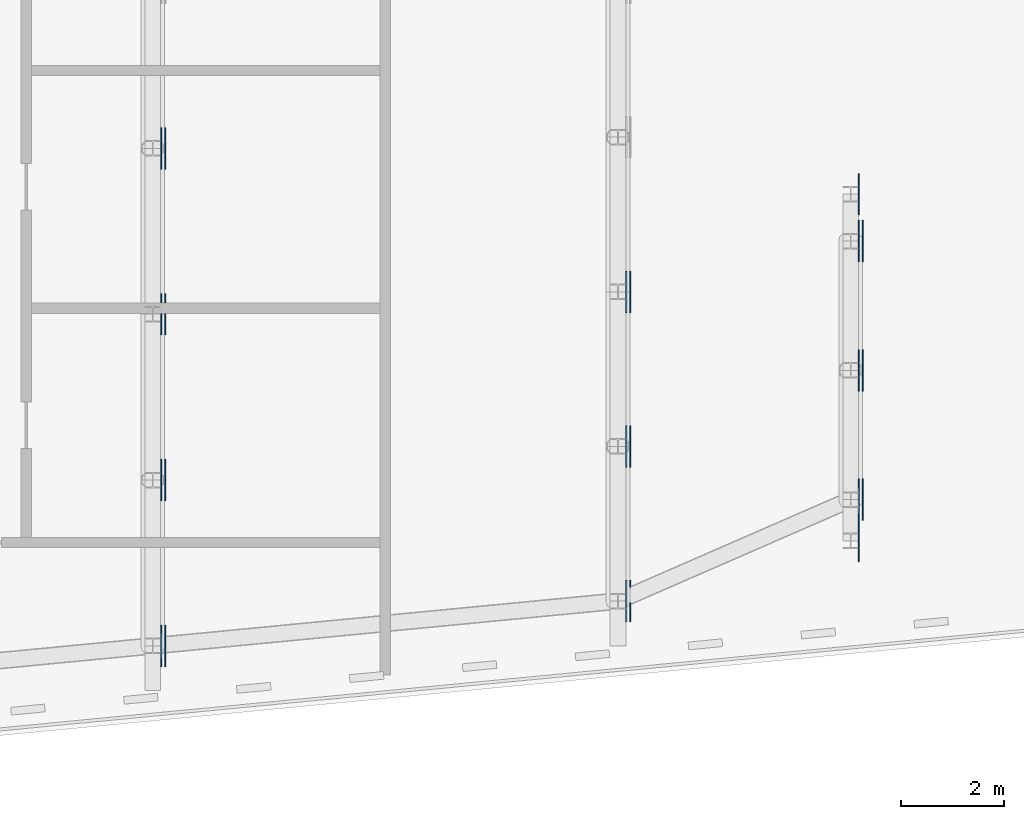
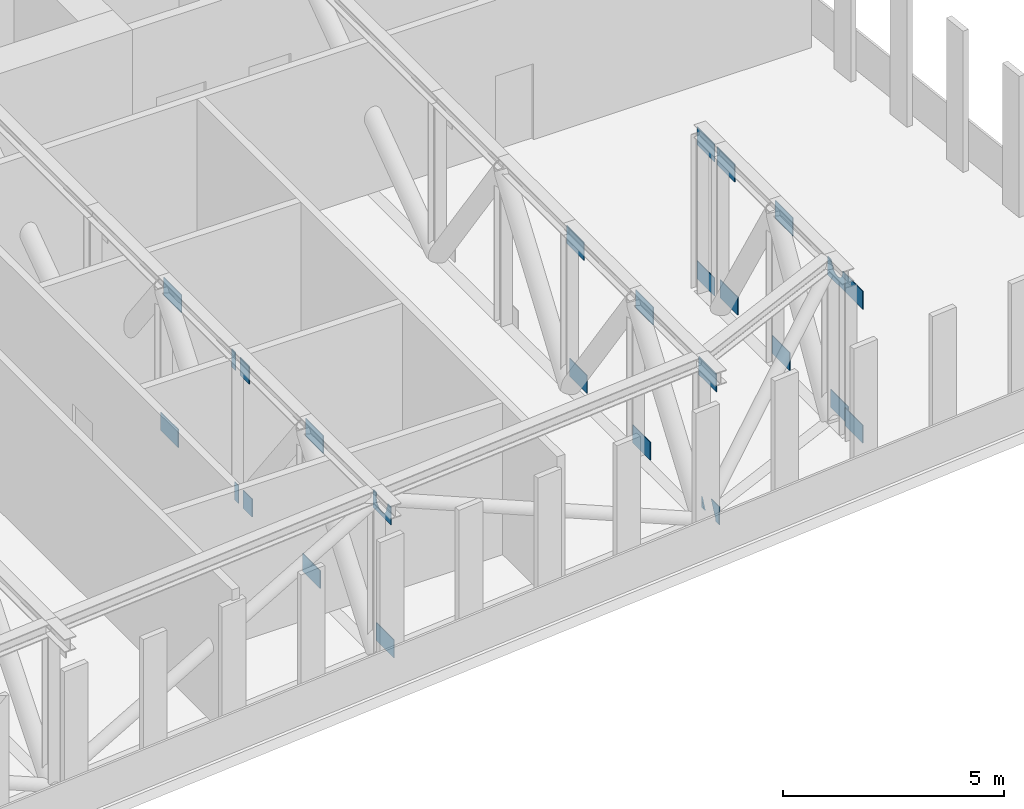
# One storey, part 15 of 22: 27 discrete accessories.
"""IFC4 building model written with IfcOpenShell, lengths in metres."""

from ifc_helpers import new_model, si_unit, direction, frame, origin, place, context, subcontext, project, spatial, polyline, outline, extrude, material, layer, layer_set, type_object, element, save


model = new_model("IFC4")

# Units and contexts
model_context = context("Model", 3, precision=1e-05, world=origin(), true_north=direction((0.0, 1.0)))
body_context = subcontext(model_context, "Body", "Model", "MODEL_VIEW")
ifc_project = project(units=[si_unit("LENGTHUNIT", "METRE"), si_unit("AREAUNIT", "SQUARE_METRE"), si_unit("VOLUMEUNIT", "CUBIC_METRE"), si_unit("PLANEANGLEUNIT", "RADIAN"), si_unit("MASSUNIT", "GRAM", prefix="KILO")], contexts=[model_context])

# Site, building, storey
site_placement = place(None, origin())
site = spatial("IfcSite", under=ifc_project, at=site_placement, CompositionType="ELEMENT")
building_placement = place(site_placement, origin())
building = spatial("IfcBuilding", under=site, at=building_placement, Name="Kajstack Hotel Tower", CompositionType="ELEMENT")
storey_placement = place(building_placement, frame((0.0, 0.0, 150.39990234375)))
storey = spatial("IfcBuildingStorey", under=building, at=storey_placement, Name="L35", CompositionType="ELEMENT", Elevation=150.39990234375)

# Discrete accessories
ifc_material = material(Name="Steel S355J2", Category="steel")
ifc_layer = layer(ifc_material, 0.02001953125)
ifc_layer_set = layer_set([ifc_layer], Name="GUSSET PLATE")
discrete_accessory_type = type_object("IfcDiscreteAccessoryType", Name="GUSSET PLATE", PredefinedType="BRACKET", material=ifc_layer_set)
discrete_accessory_1_placement = place(storey_placement, frame((27.228515625, -17.332763671875, 0.0), z_axis=(1.0, 0.0, 0.0), x_axis=(0.0, 1.0, 0.0)))
element("IfcDiscreteAccessory", 1, at=discrete_accessory_1_placement, inside=storey, type_object=discrete_accessory_type, Name="Gusset plate L35-425", PredefinedType="BRACKET", context=body_context, shape_type="SweptSolid", body=[
    extrude(outline(polyline([(-0.39990234375, 0.0), (0.39990234375, 0.0), (0.39990234375, 0.5), (-0.39990234375, 0.5), (-0.39990234375, 0.0)])), origin(), (0.0, 0.0, 1.0), 0.02001953125),
])
discrete_accessory_2_placement = place(storey_placement, frame((27.14990234375, -17.332763671875, 3.7001953125), z_axis=(1.0, 0.0, 0.0), x_axis=(0.0, 1.0, 0.0)))
element("IfcDiscreteAccessory", 2, at=discrete_accessory_2_placement, inside=storey, type_object=discrete_accessory_type, Name="Gusset plate L35-426", PredefinedType="BRACKET", context=body_context, shape_type="SweptSolid", body=[
    extrude(outline(polyline([(0.39990234375, 0.5), (0.252197265625, 0.5), (0.27392578125, 0.393310546875), (0.277587890625, 0.3701171875), (0.27880859375, 0.3466796875), (0.27783203125, 0.3232421875), (0.2744140625, 0.300048828125), (0.268798828125, 0.27734375), (0.260986328125, 0.255126953125), (0.251220703125, 0.23388671875), (0.2392578125, 0.213623046875), (0.225341796875, 0.19482421875), (0.209716796875, 0.17724609375), (0.1923828125, 0.161376953125), (0.173583984375, 0.1474609375), (0.153564453125, 0.13525390625), (0.13232421875, 0.125), (0.1103515625, 0.1171875), (0.087646484375, 0.111328125), (0.064453125, 0.107666015625), (0.041015625, 0.1064453125), (0.017578125, 0.107421875), (-0.005615234375, 0.11083984375), (-0.0283203125, 0.116455078125), (-0.050537109375, 0.1240234375), (-0.07177734375, 0.134033203125), (-0.092041015625, 0.14599609375), (-0.11083984375, 0.159912109375), (-0.12841796875, 0.175537109375), (-0.144287109375, 0.19287109375), (-0.158203125, 0.211669921875), (-0.17041015625, 0.231689453125), (-0.1806640625, 0.2529296875), (-0.188720703125, 0.27490234375), (-0.1943359375, 0.297607421875), (-0.2080078125, 0.364013671875), (-0.220458984375, 0.384765625), (-0.230224609375, 0.406005859375), (-0.238037109375, 0.427978515625), (-0.24365234375, 0.450927734375), (-0.2470703125, 0.47412109375), (-0.247802734375, 0.5), (-0.39990234375, 0.5), (-0.39990234375, 0.0), (0.39990234375, 0.0), (0.39990234375, 0.5)])), origin(), (0.0, 0.0, 1.0), 0.02001953125),
])
for number, where, z_axis, x_axis, name in (
    (3, (27.14990234375, -14.12451171875, 0.0), (1.0, 0.0, 0.0), (0.0, 1.0, 0.0), "Gusset plate L35-427"),
    (4, (27.228515625, -14.12451171875, 3.7001953125), (1.0, 0.0, 0.0), (0.0, 1.0, 0.0), "Gusset plate L35-428"),
):
    element("IfcDiscreteAccessory", number, at=place(storey_placement, frame(where, z_axis=z_axis, x_axis=x_axis)), inside=storey, type_object=discrete_accessory_type, Name=name, PredefinedType="BRACKET", context=body_context, shape_type="SweptSolid", body=[
        extrude(outline(polyline([(-0.39990234375, 0.0), (0.39990234375, 0.0), (0.39990234375, 0.5), (-0.39990234375, 0.5), (-0.39990234375, 0.0)])), origin(), (0.0, 0.0, 1.0), 0.02001953125),
    ])
discrete_accessory_3_placement = place(storey_placement, frame((27.228515625, -10.916259765625, 0.0), z_axis=(1.0, 0.0, 0.0), x_axis=(0.0, 1.0, 0.0)))
element("IfcDiscreteAccessory", 5, at=discrete_accessory_3_placement, inside=storey, type_object=discrete_accessory_type, Name="Gusset plate L35-429", PredefinedType="BRACKET", context=body_context, shape_type="SweptSolid", body=[
    extrude(outline(polyline([(0.39990234375, 0.5), (0.22119140625, 0.5), (0.22119140625, 0.0), (0.39990234375, 0.0), (0.39990234375, 0.5)])), origin(), (0.0, 0.0, 1.0), 0.02001953125),
])
discrete_accessory_4_placement = place(storey_placement, frame((27.228515625, -10.916259765625, 0.0), z_axis=(1.0, 0.0, 0.0), x_axis=(0.0, 1.0, 0.0)))
element("IfcDiscreteAccessory", 6, at=discrete_accessory_4_placement, inside=storey, type_object=discrete_accessory_type, Name="Gusset plate L35-430", PredefinedType="BRACKET", context=body_context, shape_type="SweptSolid", body=[
    extrude(outline(polyline([(-0.39990234375, 0.0), (0.01123046875, 0.0), (0.01123046875, 0.5), (-0.39990234375, 0.5), (-0.39990234375, 0.0)])), origin(), (0.0, 0.0, 1.0), 0.02001953125),
])
discrete_accessory_5_placement = place(storey_placement, frame((27.14990234375, -10.916259765625, 3.7001953125), z_axis=(1.0, 0.0, 0.0), x_axis=(0.0, 1.0, 0.0)))
element("IfcDiscreteAccessory", 7, at=discrete_accessory_5_placement, inside=storey, type_object=discrete_accessory_type, Name="Gusset plate L35-431", PredefinedType="BRACKET", context=body_context, shape_type="SweptSolid", body=[
    extrude(outline(polyline([(0.39990234375, 0.5), (0.22119140625, 0.5), (0.22119140625, 0.0), (0.39990234375, 0.0), (0.39990234375, 0.5)])), origin(), (0.0, 0.0, 1.0), 0.02001953125),
])
discrete_accessory_6_placement = place(storey_placement, frame((27.14990234375, -10.916259765625, 3.7001953125), z_axis=(1.0, 0.0, 0.0), x_axis=(0.0, 1.0, 0.0)))
element("IfcDiscreteAccessory", 8, at=discrete_accessory_6_placement, inside=storey, type_object=discrete_accessory_type, Name="Gusset plate L35-432", PredefinedType="BRACKET", context=body_context, shape_type="SweptSolid", body=[
    extrude(outline(polyline([(-0.39990234375, 0.0), (0.01123046875, 0.0), (0.01123046875, 0.5), (-0.39990234375, 0.5), (-0.39990234375, 0.0)])), origin(), (0.0, 0.0, 1.0), 0.02001953125),
])
for number, where, z_axis, x_axis, name in (
    (9, (27.14990234375, -7.708251953125, 0.0), (1.0, 0.0, 0.0), (0.0, 1.0, 0.0), "Gusset plate L35-433"),
    (10, (27.228515625, -7.708251953125, 3.7001953125), (1.0, 0.0, 0.0), (0.0, 1.0, 0.0), "Gusset plate L35-434"),
):
    element("IfcDiscreteAccessory", number, at=place(storey_placement, frame(where, z_axis=z_axis, x_axis=x_axis)), inside=storey, type_object=discrete_accessory_type, Name=name, PredefinedType="BRACKET", context=body_context, shape_type="SweptSolid", body=[
        extrude(outline(polyline([(-0.39990234375, 0.0), (0.39990234375, 0.0), (0.39990234375, 0.5), (-0.39990234375, 0.5), (-0.39990234375, 0.0)])), origin(), (0.0, 0.0, 1.0), 0.02001953125),
    ])
discrete_accessory_7_placement = place(storey_placement, frame((36.228515625, -16.466064453125, 0.0), z_axis=(1.0, 0.0, 0.0), x_axis=(0.0, 1.0, 0.0)))
element("IfcDiscreteAccessory", 11, at=discrete_accessory_7_placement, inside=storey, type_object=discrete_accessory_type, Name="Gusset plate L35-438", PredefinedType="BRACKET", context=body_context, shape_type="SweptSolid", body=[
    extrude(outline(polyline([(0.39990234375, 0.0), (0.39990234375, 0.294921875), (0.263427734375, 0.0), (0.39990234375, 0.0)])), origin(), (0.0, 0.0, 1.0), 0.02001953125),
])
discrete_accessory_8_placement = place(storey_placement, frame((36.228515625, -16.466064453125, 0.0), z_axis=(1.0, 0.0, 0.0), x_axis=(0.0, 1.0, 0.0)))
element("IfcDiscreteAccessory", 12, at=discrete_accessory_8_placement, inside=storey, type_object=discrete_accessory_type, Name="Gusset plate L35-439", PredefinedType="BRACKET", context=body_context, shape_type="SweptSolid", body=[
    extrude(outline(polyline([(-0.39990234375, 0.0), (-0.244873046875, 0.0), (-0.242919921875, 0.01953125), (-0.238525390625, 0.042724609375), (-0.23046875, 0.074951171875), (-0.22265625, 0.09716796875), (-0.212890625, 0.118408203125), (-0.196533203125, 0.144287109375), (-0.031982421875, 0.5), (-0.39990234375, 0.5), (-0.39990234375, 0.0)])), origin(), (0.0, 0.0, 1.0), 0.02001953125),
])
for number, where, z_axis, x_axis, name in (
    (13, (36.14990234375, -16.466064453125, 3.7001953125), (1.0, 0.0, 0.0), (0.0, 1.0, 0.0), "Gusset plate L35-440"),
    (14, (36.14990234375, -13.474609375, 0.0), (1.0, 0.0, 0.0), (0.0, 1.0, 0.0), "Gusset plate L35-441"),
    (15, (36.228515625, -13.474609375, 3.7001953125), (1.0, 0.0, 0.0), (0.0, 1.0, 0.0), "Gusset plate L35-442"),
    (16, (36.228515625, -10.483154296875, 0.0), (1.0, 0.0, 0.0), (0.0, 1.0, 0.0), "Gusset plate L35-443"),
    (17, (36.14990234375, -10.483154296875, 3.7001953125), (1.0, 0.0, 0.0), (0.0, 1.0, 0.0), "Gusset plate L35-444"),
    (18, (40.64990234375, -15.302490234375, 0.0), (1.0, 0.0, 0.0), (0.0, 1.0, 0.0), "Gusset plate L35-450"),
    (19, (40.64990234375, -15.302490234375, 3.7001953125), (1.0, 0.0, 0.0), (0.0, 1.0, 0.0), "Gusset plate L35-451"),
    (20, (40.728515625, -14.502685546875, 0.0), (1.0, 0.0, 0.0), (0.0, 1.0, 0.0), "Gusset plate L35-452"),
):
    element("IfcDiscreteAccessory", number, at=place(storey_placement, frame(where, z_axis=z_axis, x_axis=x_axis)), inside=storey, type_object=discrete_accessory_type, Name=name, PredefinedType="BRACKET", context=body_context, shape_type="SweptSolid", body=[
        extrude(outline(polyline([(-0.39990234375, 0.0), (0.39990234375, 0.0), (0.39990234375, 0.5), (-0.39990234375, 0.5), (-0.39990234375, 0.0)])), origin(), (0.0, 0.0, 1.0), 0.02001953125),
    ])
discrete_accessory_9_placement = place(storey_placement, frame((40.64990234375, -14.502685546875, 3.7001953125), z_axis=(1.0, 0.0, 0.0), x_axis=(0.0, 1.0, 0.0)))
element("IfcDiscreteAccessory", 21, at=discrete_accessory_9_placement, inside=storey, type_object=discrete_accessory_type, Name="Gusset plate L35-453", PredefinedType="BRACKET", context=body_context, shape_type="SweptSolid", body=[
    extrude(outline(polyline([(0.39990234375, 0.5), (0.244873046875, 0.5), (0.17626953125, 0.35205078125), (0.16552734375, 0.331298828125), (0.152587890625, 0.3115234375), (0.137939453125, 0.29345703125), (0.121337890625, 0.276611328125), (0.103515625, 0.26171875), (0.083984375, 0.248291015625), (0.0634765625, 0.2373046875), (0.041748046875, 0.22802734375), (0.01953125, 0.220947265625), (-0.003662109375, 0.21630859375), (-0.02685546875, 0.2138671875), (-0.05029296875, 0.213623046875), (-0.07373046875, 0.2158203125), (-0.0966796875, 0.22021484375), (-0.119140625, 0.226806640625), (-0.14111328125, 0.235595703125), (-0.161865234375, 0.246337890625), (-0.181396484375, 0.25927734375), (-0.19970703125, 0.27392578125), (-0.21630859375, 0.29052734375), (-0.2314453125, 0.30859375), (-0.24462890625, 0.327880859375), (-0.255859375, 0.348388671875), (-0.264892578125, 0.3701171875), (-0.27197265625, 0.392578125), (-0.276611328125, 0.41552734375), (-0.279296875, 0.438720703125), (-0.279296875, 0.462158203125), (-0.274658203125, 0.5), (-0.39990234375, 0.5), (-0.39990234375, 0.0), (0.39990234375, 0.0), (0.39990234375, 0.5)])), origin(), (0.0, 0.0, 1.0), 0.02001953125),
])
for number, where, z_axis, x_axis, name in (
    (22, (40.64990234375, -12.001953125, 0.0), (1.0, 0.0, 0.0), (0.0, 1.0, 0.0), "Gusset plate L35-454"),
    (23, (40.728515625, -12.001953125, 3.7001953125), (1.0, 0.0, 0.0), (0.0, 1.0, 0.0), "Gusset plate L35-455"),
    (24, (40.728515625, -9.501220703125, 0.0), (1.0, 0.0, 0.0), (0.0, 1.0, 0.0), "Gusset plate L35-456"),
    (25, (40.64990234375, -9.501220703125, 3.7001953125), (1.0, 0.0, 0.0), (0.0, 1.0, 0.0), "Gusset plate L35-457"),
    (26, (40.64990234375, -8.594482421875, 0.0), (1.0, 0.0, 0.0), (0.0, 1.0, 0.0), "Gusset plate L35-458"),
    (27, (40.64990234375, -8.594482421875, 3.7001953125), (1.0, 0.0, 0.0), (0.0, 1.0, 0.0), "Gusset plate L35-459"),
):
    element("IfcDiscreteAccessory", number, at=place(storey_placement, frame(where, z_axis=z_axis, x_axis=x_axis)), inside=storey, type_object=discrete_accessory_type, Name=name, PredefinedType="BRACKET", context=body_context, shape_type="SweptSolid", body=[
        extrude(outline(polyline([(-0.39990234375, 0.0), (0.39990234375, 0.0), (0.39990234375, 0.5), (-0.39990234375, 0.5), (-0.39990234375, 0.0)])), origin(), (0.0, 0.0, 1.0), 0.02001953125),
    ])

save(model, "model.ifc")
